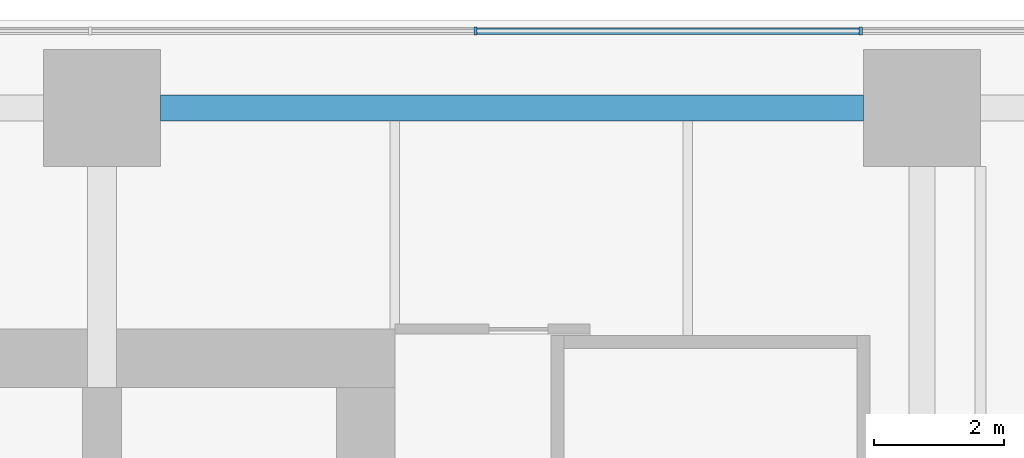
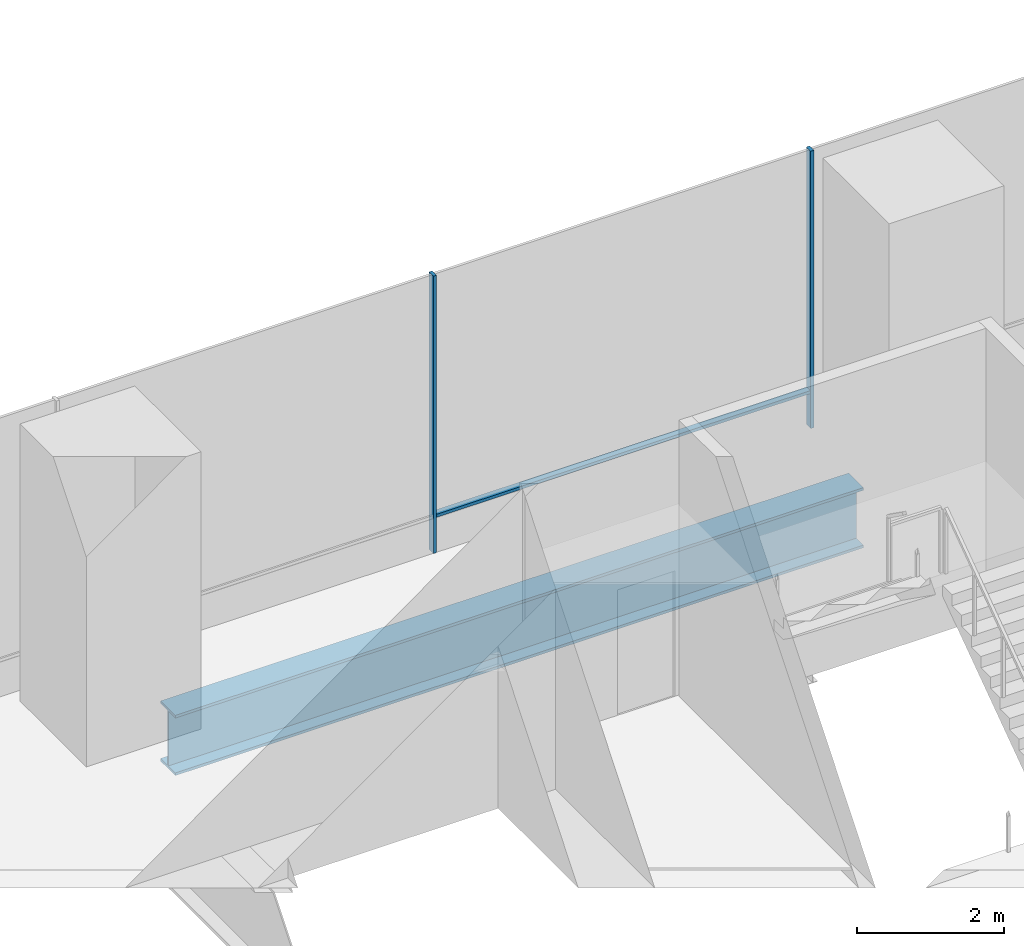
# One storey, part 14 of 28: 3 members, 1 beam, 1 element without a shape of its own.
"""IFC4 building model written with IfcOpenShell, lengths in metres."""

from ifc_helpers import new_model, si_unit, direction, frame, origin, origin_2d, place, context, subcontext, project, spatial, rectangle, i_section, extrude, material, layer, layer_set, material_profile, profile_set, type_object, element, aggregate, save


model = new_model("IFC4")

# Units and contexts
model_context = context("Model", 3, precision=1e-05, world=origin(), true_north=direction((0.0, 1.0)))
body_context = subcontext(model_context, "Body", "Model", "MODEL_VIEW")
ifc_project = project(units=[si_unit("LENGTHUNIT", "METRE"), si_unit("AREAUNIT", "SQUARE_METRE"), si_unit("VOLUMEUNIT", "CUBIC_METRE"), si_unit("PLANEANGLEUNIT", "RADIAN"), si_unit("MASSUNIT", "GRAM", prefix="KILO")], contexts=[model_context])

# Site, building, storey
site_placement = place(None, origin())
site = spatial("IfcSite", under=ifc_project, at=site_placement, CompositionType="ELEMENT")
building_placement = place(site_placement, origin())
building = spatial("IfcBuilding", under=site, at=building_placement, Name="Rattan Terrace Tower", CompositionType="ELEMENT")
storey_placement = place(building_placement, frame((0.0, 0.0, 17.39990234375)))
storey = spatial("IfcBuildingStorey", under=building, at=storey_placement, Name="L03", CompositionType="ELEMENT", Elevation=17.39990234375)

# Beam
ifc_material_1 = material(Name="Steel S460", Category="steel")
ifc_material_profile_1 = material_profile(ifc_material_1, i_section(OverallWidth=0.39990234375, OverallDepth=1.0, WebThickness=0.01806640625, FlangeThickness=0.044921875, at=origin_2d()), Name="PG 1000x400-18-45")
ifc_profile_set_1 = profile_set([ifc_material_profile_1], Name="Steel S460")
beam_type = type_object("IfcBeamType", Name="Frame podium girder PG 1000x400-18-45", PredefinedType="USERDEFINED", material=ifc_profile_set_1)
beam_placement = place(storey_placement, frame((14.39990234375, 10.89990234375, -0.699951171875), z_axis=(1.0, 0.0, 0.0), x_axis=(0.0, 1.0, 0.0)))
element("IfcBeam", 1, at=beam_placement, inside=storey, type_object=beam_type, Name="gdr-L03-050", ObjectType="PODIUM GIRDER", PredefinedType="USERDEFINED", context=body_context, shape_type="SweptSolid", body=[
    extrude(i_section(OverallWidth=0.39990234375, OverallDepth=1.0, WebThickness=0.01806640625, FlangeThickness=0.044921875, at=origin_2d()), origin(), (0.0, 0.0, 1.0), 10.800048828125),
])

# Curtain wall, members
ifc_material_2 = material(Name="Aluminium and glass", Category="aluminium")
ifc_layer = layer(ifc_material_2, 0.1201171875)
ifc_layer_set = layer_set([ifc_layer], Name="Station Storefront Curtain Wall")
curtain_wall_type = type_object("IfcCurtainWallType", Name="Station Storefront Curtain Wall", PredefinedType="NOTDEFINED", material=ifc_layer_set)
curtain_wall_placement = place(storey_placement, origin())
curtain_wall = element("IfcCurtainWall", 2, at=curtain_wall_placement, inside=storey, type_object=curtain_wall_type, Name="Storefront curtain wall L03-2", PredefinedType="NOTDEFINED")
ifc_material_3 = material(Name="Aluminium", Category="aluminium")
ifc_material_profile_2 = material_profile(ifc_material_3, rectangle(XDim=0.050048828125, YDim=0.1201171875, at=origin_2d()), Name="Aluminium 50x120")
ifc_profile_set_2 = profile_set([ifc_material_profile_2], Name="Aluminium")
member_type_1 = type_object("IfcMemberType", Name="Storefront CW Mullion 50x120", PredefinedType="MULLION", material=ifc_profile_set_2)
member_1_placement = place(storey_placement, frame((25.159912109375, 12.080078125, 0.0), z_axis=(0.0, 0.0, 1.0), x_axis=(-1.0, 0.0, 0.0)))
member_1 = element("IfcMember", 3, at=member_1_placement, type_object=member_type_1, Name="Mullion cwl-L03-002.3", PredefinedType="MULLION", context=body_context, shape_type="SweptSolid", body=[
    extrude(rectangle(XDim=0.050048828125, YDim=0.1201171875, at=origin_2d()), origin(), (0.0, 0.0, 1.0), 4.60009765625),
])
member_2_placement = place(storey_placement, frame((19.239990234375, 12.080078125, 0.0), z_axis=(0.0, 0.0, 1.0), x_axis=(-1.0, 0.0, 0.0)))
member_2 = element("IfcMember", 4, at=member_2_placement, type_object=member_type_1, Name="Mullion cwl-L03-002.4", PredefinedType="MULLION", context=body_context, shape_type="SweptSolid", body=[
    extrude(rectangle(XDim=0.050048828125, YDim=0.1201171875, at=origin_2d()), origin(), (0.0, 0.0, 1.0), 4.60009765625),
])
ifc_material_4 = material(Name="Aluminium", Category="aluminium")
ifc_material_profile_3 = material_profile(ifc_material_4, rectangle(XDim=0.10009765625, YDim=0.050048828125, at=origin_2d()), Name="Aluminium 100x50")
ifc_profile_set_3 = profile_set([ifc_material_profile_3], Name="Aluminium")
member_type_2 = type_object("IfcMemberType", Name="Storefront CW Transom 100x50", PredefinedType="USERDEFINED", material=ifc_profile_set_3)
member_3_placement = place(storey_placement, frame((25.135009765625, 12.080078125, 0.60009765625), z_axis=(-1.0, 0.0, 0.0), x_axis=(0.0, -1.0, 0.0)))
member_3 = element("IfcMember", 5, at=member_3_placement, type_object=member_type_2, Name="Transom cwl-L03-002.3", ObjectType="TRANSOM", PredefinedType="USERDEFINED", context=body_context, shape_type="SweptSolid", body=[
    extrude(rectangle(XDim=0.10009765625, YDim=0.050048828125, at=origin_2d()), origin(), (0.0, 0.0, 1.0), 5.8701171875),
])
aggregate(curtain_wall, [member_1, member_2, member_3])

save(model, "model.ifc")
